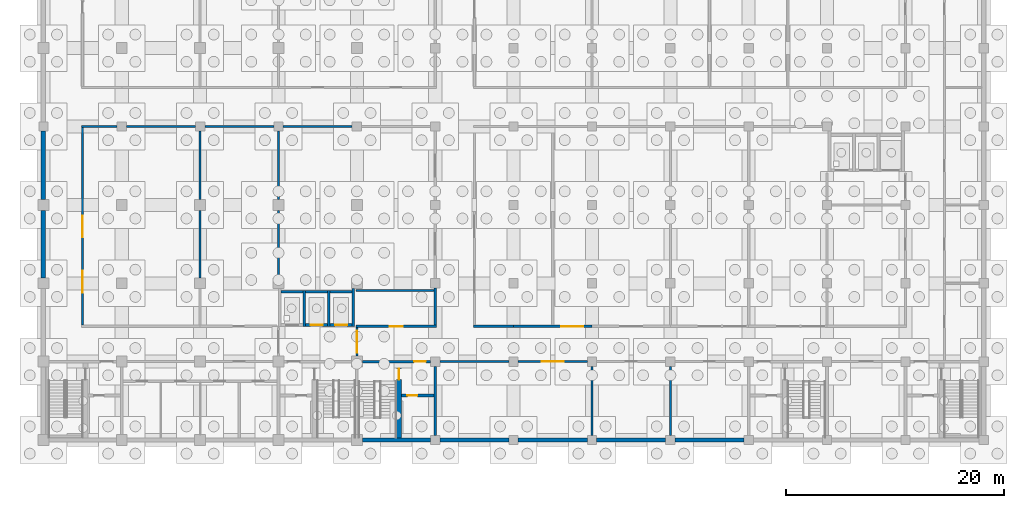
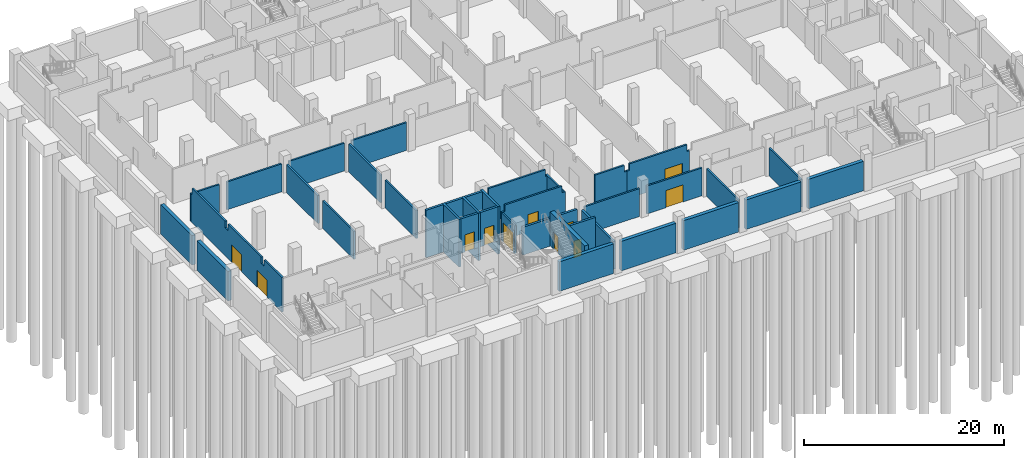
# One storey, part 8 of 19: 38 walls, 11 doors, 11 openings.
"""IFC4 building model written with IfcOpenShell, lengths in metres."""

from ifc_helpers import new_model, si_unit, direction, frame, frame_2d, origin, place, context, subcontext, project, spatial, polyline, rectangle, outline, extrude, material, layer, layer_set, type_object, element, fill, save


model = new_model("IFC4")

# Units and contexts
model_context = context("Model", 3, precision=1e-05, world=origin(), true_north=direction((0.0, 1.0)))
body_context = subcontext(model_context, "Body", "Model", "MODEL_VIEW")
ifc_project = project(units=[si_unit("LENGTHUNIT", "METRE"), si_unit("AREAUNIT", "SQUARE_METRE"), si_unit("VOLUMEUNIT", "CUBIC_METRE"), si_unit("PLANEANGLEUNIT", "RADIAN"), si_unit("MASSUNIT", "GRAM", prefix="KILO")], contexts=[model_context])

# Site, building, storey
site_placement = place(None, origin())
site = spatial("IfcSite", under=ifc_project, at=site_placement, CompositionType="ELEMENT")
building_placement = place(site_placement, origin())
building = spatial("IfcBuilding", under=site, at=building_placement, Name="Silangan Lancet Faculty of Sciences", CompositionType="ELEMENT")
storey_placement = place(building_placement, frame((0.0, 0.0, -4.5)))
storey = spatial("IfcBuildingStorey", under=building, at=storey_placement, Name="B1", CompositionType="ELEMENT", Elevation=-4.5)

# Walls
ifc_material_1 = material(Name="Hollow block masonry fm 7 MPa", Category="masonry")
ifc_layer_1 = layer(ifc_material_1, 0.199951171875)
ifc_layer_set_1 = layer_set([ifc_layer_1], Name="Hollow block masonry fm 7 MPa")
wall_type_1 = type_object("IfcWallType", Name="Interior wall PW4 Laboratory separation CHB 200", PredefinedType="PARTITIONING", material=ifc_layer_set_1)
wall_1_placement = place(storey_placement, frame((57.60009765625, 0.425048828125, 0.0), z_axis=(0.0, 0.0, 1.0), x_axis=(0.0, 1.0, 0.0)))
element("IfcWall", 1, at=wall_1_placement, inside=storey, type_object=wall_type_1, Name="Laboratory separation CHB 200", PredefinedType="PARTITIONING", context=body_context, shape_type="SweptSolid", body=[
    extrude(rectangle(XDim=6.349853515625, YDim=0.199951171875, at=frame_2d((3.1748046875, 0.0))), origin(), (0.0, 0.0, 1.0), 3.39990234375),
])
ifc_material_2 = material(Name="Concrete C35/45", Category="concrete")
ifc_layer_2 = layer(ifc_material_2, 0.199951171875)
ifc_layer_set_2 = layer_set([ifc_layer_2], Name="Concrete C35/45")
wall_type_2 = type_object("IfcWallType", Name="Interior wall PW5 Riser wall RC 200", PredefinedType="SOLIDWALL", material=ifc_layer_set_2)
wall_2_placement = place(storey_placement, frame((14.824951171875, 28.800048828125, 0.0), z_axis=(0.0, 0.0, 1.0), x_axis=(1.0, 0.0, 0.0)))
element("IfcWall", 2, at=wall_2_placement, inside=storey, type_object=wall_type_2, Name="Riser wall RC 200", PredefinedType="SOLIDWALL", context=body_context, shape_type="SweptSolid", body=[
    extrude(rectangle(XDim=6.35009765625, YDim=0.199951171875, at=frame_2d((3.175048828125, 0.0))), origin(), (0.0, 0.0, 1.0), 3.39990234375),
])
wall_3_placement = place(storey_placement, frame((14.39990234375, 14.89990234375, 0.0), z_axis=(0.0, 0.0, 1.0), x_axis=(0.0, 1.0, 0.0)))
element("IfcWall", 3, at=wall_3_placement, inside=storey, type_object=wall_type_2, Name="Riser wall RC 200", PredefinedType="SOLIDWALL", context=body_context, shape_type="SweptSolid", body=[
    extrude(rectangle(XDim=6.2001953125, YDim=0.199951171875, at=frame_2d((3.10009765625, 0.0))), origin(), (0.0, 0.0, 1.0), 3.39990234375),
])
wall_4_placement = place(storey_placement, frame((14.39990234375, 22.10009765625, 0.0), z_axis=(0.0, 0.0, 1.0), x_axis=(0.0, 1.0, 0.0)))
element("IfcWall", 4, at=wall_4_placement, inside=storey, type_object=wall_type_2, Name="Riser wall RC 200", PredefinedType="SOLIDWALL", context=body_context, shape_type="SweptSolid", body=[
    extrude(rectangle(XDim=6.27490234375, YDim=0.199951171875, at=frame_2d((3.137451171875, 0.0))), origin(), (0.0, 0.0, 1.0), 3.39990234375),
])
wall_5_placement = place(storey_placement, frame((21.60009765625, 14.89990234375, 0.0), z_axis=(0.0, 0.0, 1.0), x_axis=(0.0, 1.0, 0.0)))
element("IfcWall", 5, at=wall_5_placement, inside=storey, type_object=wall_type_2, Name="Riser wall RC 200", PredefinedType="SOLIDWALL", context=body_context, shape_type="SweptSolid", body=[
    extrude(rectangle(XDim=6.2001953125, YDim=0.199951171875, at=frame_2d((3.10009765625, 0.0))), origin(), (0.0, 0.0, 1.0), 3.39990234375),
])
wall_6_placement = place(storey_placement, frame((21.60009765625, 22.10009765625, 0.0), z_axis=(0.0, 0.0, 1.0), x_axis=(0.0, 1.0, 0.0)))
element("IfcWall", 6, at=wall_6_placement, inside=storey, type_object=wall_type_2, Name="Riser wall RC 200", PredefinedType="SOLIDWALL", context=body_context, shape_type="SweptSolid", body=[
    extrude(rectangle(XDim=6.27490234375, YDim=0.199951171875, at=frame_2d((3.137451171875, 0.0))), origin(), (0.0, 0.0, 1.0), 3.39990234375),
])
ifc_material_3 = material(Name="Hollow block masonry fm 7 MPa", Category="masonry")
ifc_layer_3 = layer(ifc_material_3, 0.199951171875)
ifc_layer_set_3 = layer_set([ifc_layer_3], Name="Hollow block masonry fm 7 MPa")
wall_type_3 = type_object("IfcWallType", Name="Interior wall PW6 Plant room wall CHB 200", PredefinedType="PARTITIONING", material=ifc_layer_set_3)
wall_7_placement = place(storey_placement, frame((36.425048828125, 7.199951171875, 0.0), z_axis=(0.0, 0.0, 1.0), x_axis=(1.0, 0.0, 0.0)))
element("IfcWall", 7, at=wall_7_placement, inside=storey, type_object=wall_type_3, Name="Plant room wall CHB 200", PredefinedType="PARTITIONING", context=body_context, shape_type="SweptSolid", body=[
    extrude(rectangle(XDim=6.349853515625, YDim=0.199951171875, at=frame_2d((3.1748046875, 0.0))), origin(), (0.0, 0.0, 1.0), 3.39990234375),
])

# Wall, opening, door
wall_8_placement = place(storey_placement, frame((43.625, 7.199951171875, 0.0), z_axis=(0.0, 0.0, 1.0), x_axis=(1.0, 0.0, 0.0)))
wall_8 = element("IfcWall", 8, at=wall_8_placement, inside=storey, type_object=wall_type_3, Name="Plant room wall CHB 200", PredefinedType="PARTITIONING", context=body_context, shape_type="SweptSolid", body=[
    extrude(rectangle(XDim=6.35009765625, YDim=0.199951171875, at=frame_2d((3.175048828125, 0.0))), origin(), (0.0, 0.0, 1.0), 3.39990234375),
])
opening_1_placement = place(wall_8_placement, frame((2.175048828125, 0.0, 0.0)))
opening_1 = element("IfcOpeningElement", 9, at=opening_1_placement, cuts=wall_8, Name="Opening B1-035", PredefinedType="OPENING", context=body_context, shape_type="SweptSolid", body=[
    extrude(rectangle(XDim=2.0, YDim=2.10009765625, at=frame_2d((1.0, 1.050048828125))), frame((0.0, 0.10986328125, 0.0), z_axis=(0.0, -1.0, 0.0), x_axis=(1.0, 0.0, 0.0)), (0.0, 0.0, 1.0), 0.219970703125),
])
ifc_material_4 = material(Name="Steel fire door set", Category="steel")
door_type_1 = type_object("IfcDoorType", Name="Door D8 Plant room double door 2000 x 2100", OperationType="DOUBLE_DOOR_SINGLE_SWING", PredefinedType="DOOR", material=ifc_material_4)
door_1_placement = place(opening_1_placement, origin())
door_1 = element("IfcDoor", 10, at=door_1_placement, inside=storey, type_object=door_type_1, Name="Plant room double door 2000 x 2100", OperationType="DOUBLE_DOOR_SINGLE_SWING", OverallHeight=2.10009765625, OverallWidth=2.0, PredefinedType="DOOR", context=body_context, shape_type="SweptSolid", body=[
    extrude(rectangle(XDim=2.0, YDim=2.10009765625, at=frame_2d((1.0, 1.050048828125))), frame((0.0, 0.02490234375, 0.0), z_axis=(0.0, -1.0, 0.0), x_axis=(1.0, 0.0, 0.0)), (0.0, 0.0, 1.0), 0.050048828125),
])
fill(opening_1, door_1)

wall_9_placement = place(storey_placement, frame((28.72509765625, 10.449951171875, 0.0), z_axis=(0.0, 0.0, 1.0), x_axis=(1.0, 0.0, 0.0)))
wall_9 = element("IfcWall", 11, at=wall_9_placement, inside=storey, type_object=wall_type_3, Name="Plant room wall CHB 200", PredefinedType="PARTITIONING", context=body_context, shape_type="SweptSolid", body=[
    extrude(outline(polyline([(0.0, 0.0), (7.375, 0.0), (7.375, 3.39990234375), (6.974853515625, 3.39990234375), (6.974853515625, 4.199951171875), (0.375, 4.199951171875), (0.375, 3.39990234375), (0.0, 3.39990234375), (0.0, 0.0)])), frame((0.0, 0.10009765625, 0.0), z_axis=(0.0, -1.0, 0.0), x_axis=(1.0, 0.0, 0.0)), (0.0, 0.0, 1.0), 0.199951171875),
])
opening_2_placement = place(wall_9_placement, frame((3.074951171875, 0.0, 0.0)))
opening_2 = element("IfcOpeningElement", 12, at=opening_2_placement, cuts=wall_9, Name="Opening B1-012", PredefinedType="OPENING", context=body_context, shape_type="SweptSolid", body=[
    extrude(rectangle(XDim=1.199951171875, YDim=2.10009765625, at=frame_2d((0.60009765625, 1.050048828125))), frame((0.0, 0.10986328125, 0.0), z_axis=(0.0, -1.0, 0.0), x_axis=(1.0, 0.0, 0.0)), (0.0, 0.0, 1.0), 0.219970703125),
])
ifc_material_5 = material(Name="Steel fire door set", Category="steel")
door_type_2 = type_object("IfcDoorType", Name="Door D7 Plant room door 1200 x 2100", OperationType="SINGLE_SWING_LEFT", PredefinedType="DOOR", material=ifc_material_5)
door_2_placement = place(opening_2_placement, origin())
door_2 = element("IfcDoor", 13, at=door_2_placement, inside=storey, type_object=door_type_2, Name="Plant room door 1200 x 2100", OperationType="SINGLE_SWING_LEFT", OverallHeight=2.10009765625, OverallWidth=1.199951171875, PredefinedType="DOOR", context=body_context, shape_type="SweptSolid", body=[
    extrude(rectangle(XDim=1.199951171875, YDim=2.10009765625, at=frame_2d((0.60009765625, 1.050048828125))), frame((0.0, 0.02490234375, 0.0), z_axis=(0.0, -1.0, 0.0), x_axis=(1.0, 0.0, 0.0)), (0.0, 0.0, 1.0), 0.050048828125),
])
fill(opening_2, door_2)

# Wall
wall_10_placement = place(storey_placement, frame((39.5, 10.449951171875, 0.0), z_axis=(0.0, 0.0, 1.0), x_axis=(1.0, 0.0, 0.0)))
element("IfcWall", 14, at=wall_10_placement, inside=storey, type_object=wall_type_3, Name="Plant room wall CHB 200", PredefinedType="PARTITIONING", context=body_context, shape_type="SweptSolid", body=[
    extrude(outline(polyline([(0.0, 0.0), (3.699951171875, 0.0), (3.699951171875, 3.39990234375), (3.39990234375, 3.39990234375), (3.39990234375, 4.199951171875), (0.0, 4.199951171875), (0.0, 0.0)])), frame((0.0, 0.10009765625, 0.0), z_axis=(0.0, -1.0, 0.0), x_axis=(1.0, 0.0, 0.0)), (0.0, 0.0, 1.0), 0.199951171875),
])

# Wall, opening, door
wall_11_placement = place(storey_placement, frame((43.199951171875, 10.449951171875, 0.0), z_axis=(0.0, 0.0, 1.0), x_axis=(1.0, 0.0, 0.0)))
wall_11 = element("IfcWall", 15, at=wall_11_placement, inside=storey, type_object=wall_type_3, Name="Plant room wall CHB 200", PredefinedType="PARTITIONING", context=body_context, shape_type="SweptSolid", body=[
    extrude(outline(polyline([(0.0, 0.0), (7.199951171875, 0.0), (7.199951171875, 3.39990234375), (6.89990234375, 3.39990234375), (6.89990234375, 4.199951171875), (0.300048828125, 4.199951171875), (0.300048828125, 3.39990234375), (0.0, 3.39990234375), (0.0, 0.0)])), frame((0.0, 0.10009765625, 0.0), z_axis=(0.0, -1.0, 0.0), x_axis=(1.0, 0.0, 0.0)), (0.0, 0.0, 1.0), 0.199951171875),
])
opening_3_placement = place(wall_11_placement, frame((4.39990234375, 0.0, 0.0)))
opening_3 = element("IfcOpeningElement", 16, at=opening_3_placement, cuts=wall_11, Name="Opening B1-016", PredefinedType="OPENING", context=body_context, shape_type="SweptSolid", body=[
    extrude(rectangle(XDim=2.0, YDim=2.10009765625, at=frame_2d((1.0, 1.050048828125))), frame((0.0, 0.10986328125, 0.0), z_axis=(0.0, -1.0, 0.0), x_axis=(1.0, 0.0, 0.0)), (0.0, 0.0, 1.0), 0.219970703125),
])
door_3_placement = place(opening_3_placement, origin())
door_3 = element("IfcDoor", 17, at=door_3_placement, inside=storey, type_object=door_type_1, Name="Plant room double door 2000 x 2100", OperationType="DOUBLE_DOOR_SINGLE_SWING", OverallHeight=2.10009765625, OverallWidth=2.0, PredefinedType="DOOR", context=body_context, shape_type="SweptSolid", body=[
    extrude(rectangle(XDim=2.0, YDim=2.10009765625, at=frame_2d((1.0, 1.050048828125))), frame((0.0, 0.02490234375, 0.0), z_axis=(0.0, -1.0, 0.0), x_axis=(1.0, 0.0, 0.0)), (0.0, 0.0, 1.0), 0.050048828125),
])
fill(opening_3, door_3)

# Walls
wall_12_placement = place(storey_placement, frame((28.72509765625, 13.75, 0.0), z_axis=(0.0, 0.0, 1.0), x_axis=(1.0, 0.0, 0.0)))
element("IfcWall", 18, at=wall_12_placement, inside=storey, type_object=wall_type_3, Name="Plant room wall CHB 200", PredefinedType="PARTITIONING", context=body_context, shape_type="SweptSolid", body=[
    extrude(outline(polyline([(0.0, 0.0), (7.1748046875, 0.0), (7.1748046875, 3.39990234375), (6.974853515625, 3.39990234375), (6.974853515625, 4.199951171875), (0.375, 4.199951171875), (0.375, 3.39990234375), (0.0, 3.39990234375), (0.0, 0.0)])), frame((0.0, 0.10009765625, 0.0), z_axis=(0.0, -1.0, 0.0), x_axis=(1.0, 0.0, 0.0)), (0.0, 0.0, 1.0), 0.199951171875),
])
wall_13_placement = place(storey_placement, frame((3.5, 28.800048828125, 0.0), z_axis=(0.0, 0.0, 1.0), x_axis=(1.0, 0.0, 0.0)))
element("IfcWall", 19, at=wall_13_placement, inside=storey, type_object=wall_type_3, Name="Plant room wall CHB 200", PredefinedType="PARTITIONING", context=body_context, shape_type="SweptSolid", body=[
    extrude(rectangle(XDim=3.27490234375, YDim=0.199951171875, at=frame_2d((1.637451171875, 0.0))), origin(), (0.0, 0.0, 1.0), 3.39990234375),
])
for number, where, z_axis, x_axis, name in (
    (20, (7.625, 28.800048828125, 0.0), (0.0, 0.0, 1.0), (1.0, 0.0, 0.0), "Plant room wall CHB 200"),
    (21, (22.02490234375, 28.800048828125, 0.0), (0.0, 0.0, 1.0), (1.0, 0.0, 0.0), "Plant room wall CHB 200"),
):
    element("IfcWall", number, at=place(storey_placement, frame(where, z_axis=z_axis, x_axis=x_axis)), inside=storey, type_object=wall_type_3, Name=name, PredefinedType="PARTITIONING", context=body_context, shape_type="SweptSolid", body=[
        extrude(rectangle(XDim=6.35009765625, YDim=0.199951171875, at=frame_2d((3.175048828125, 0.0))), origin(), (0.0, 0.0, 1.0), 3.39990234375),
    ])

# Wall, openings, doors
wall_14_placement = place(storey_placement, frame((3.60009765625, 10.550048828125, 0.0), z_axis=(0.0, 0.0, 1.0), x_axis=(0.0, 1.0, 0.0)))
wall_14 = element("IfcWall", 22, at=wall_14_placement, inside=storey, type_object=wall_type_3, Name="Plant room wall CHB 200", PredefinedType="PARTITIONING", context=body_context, shape_type="SweptSolid", body=[
    extrude(outline(polyline([(0.0, 0.0), (18.14990234375, 0.0), (18.14990234375, 3.39990234375), (17.949951171875, 3.39990234375), (17.949951171875, 4.199951171875), (11.35009765625, 4.199951171875), (11.35009765625, 3.39990234375), (10.75, 3.39990234375), (10.75, 4.199951171875), (4.14990234375, 4.199951171875), (4.14990234375, 3.39990234375), (3.550048828125, 3.39990234375), (3.550048828125, 4.199951171875), (0.0, 4.199951171875), (0.0, 0.0)])), frame((0.0, 0.10009765625, 0.0), z_axis=(0.0, -1.0, 0.0), x_axis=(1.0, 0.0, 0.0)), (0.0, 0.0, 1.0), 0.199951171875),
])
opening_4_placement = place(wall_14_placement, frame((8.074951171875, 0.0, 0.0)))
opening_4 = element("IfcOpeningElement", 23, at=opening_4_placement, cuts=wall_14, Name="Opening B1-007", PredefinedType="OPENING", context=body_context, shape_type="SweptSolid", body=[
    extrude(rectangle(XDim=2.0, YDim=2.10009765625, at=frame_2d((1.0, 1.050048828125))), frame((0.0, 0.10986328125, 0.0), z_axis=(0.0, -1.0, 0.0), x_axis=(1.0, 0.0, 0.0)), (0.0, 0.0, 1.0), 0.219970703125),
])
opening_5_placement = place(wall_14_placement, frame((2.987548828125, 0.0, 0.0)))
opening_5 = element("IfcOpeningElement", 24, at=opening_5_placement, cuts=wall_14, Name="Opening B1-008", PredefinedType="OPENING", context=body_context, shape_type="SweptSolid", body=[
    extrude(rectangle(XDim=2.0, YDim=2.10009765625, at=frame_2d((1.0, 1.050048828125))), frame((0.0, 0.10986328125, 0.0), z_axis=(0.0, -1.0, 0.0), x_axis=(1.0, 0.0, 0.0)), (0.0, 0.0, 1.0), 0.219970703125),
])
door_4_placement = place(opening_4_placement, origin())
door_4 = element("IfcDoor", 25, at=door_4_placement, inside=storey, type_object=door_type_1, Name="Plant room double door 2000 x 2100", OperationType="DOUBLE_DOOR_SINGLE_SWING", OverallHeight=2.10009765625, OverallWidth=2.0, PredefinedType="DOOR", context=body_context, shape_type="SweptSolid", body=[
    extrude(rectangle(XDim=2.0, YDim=2.10009765625, at=frame_2d((1.0, 1.050048828125))), frame((0.0, 0.02490234375, 0.0), z_axis=(0.0, -1.0, 0.0), x_axis=(1.0, 0.0, 0.0)), (0.0, 0.0, 1.0), 0.050048828125),
])
fill(opening_4, door_4)
door_5_placement = place(opening_5_placement, origin())
door_5 = element("IfcDoor", 26, at=door_5_placement, inside=storey, type_object=door_type_1, Name="Plant room double door 2000 x 2100", OperationType="DOUBLE_DOOR_SINGLE_SWING", OverallHeight=2.10009765625, OverallWidth=2.0, PredefinedType="DOOR", context=body_context, shape_type="SweptSolid", body=[
    extrude(rectangle(XDim=2.0, YDim=2.10009765625, at=frame_2d((1.0, 1.050048828125))), frame((0.0, 0.02490234375, 0.0), z_axis=(0.0, -1.0, 0.0), x_axis=(1.0, 0.0, 0.0)), (0.0, 0.0, 1.0), 0.050048828125),
])
fill(opening_5, door_5)

# Walls
wall_15_placement = place(storey_placement, frame((36.0, 10.550048828125, 0.0), z_axis=(0.0, 0.0, 1.0), x_axis=(0.0, 1.0, 0.0)))
element("IfcWall", 27, at=wall_15_placement, inside=storey, type_object=wall_type_3, Name="Plant room wall CHB 200", PredefinedType="PARTITIONING", context=body_context, shape_type="SweptSolid", body=[
    extrude(rectangle(XDim=3.425048828125, YDim=0.199951171875, at=frame_2d((1.71240234375, 0.0))), origin(), (0.0, 0.0, 1.0), 3.39990234375),
])
wall_16_placement = place(storey_placement, frame((50.39990234375, 0.425048828125, 0.0), z_axis=(0.0, 0.0, 1.0), x_axis=(0.0, 1.0, 0.0)))
element("IfcWall", 28, at=wall_16_placement, inside=storey, type_object=wall_type_3, Name="Plant room wall CHB 200", PredefinedType="PARTITIONING", context=body_context, shape_type="SweptSolid", body=[
    extrude(rectangle(XDim=6.349853515625, YDim=0.199951171875, at=frame_2d((3.1748046875, 0.0))), origin(), (0.0, 0.0, 1.0), 3.39990234375),
])

# Wall, opening, door
ifc_material_6 = material(Name="Hollow block masonry fm 7 MPa", Category="masonry")
ifc_layer_4 = layer(ifc_material_6, 0.199951171875)
ifc_layer_set_4 = layer_set([ifc_layer_4], Name="Hollow block masonry fm 7 MPa")
wall_type_4 = type_object("IfcWallType", Name="Interior wall PW9 Lift lobby wall CHB 200", PredefinedType="PARTITIONING", material=ifc_layer_set_4)
wall_17_placement = place(storey_placement, frame((28.800048828125, 7.699951171875, 0.0), z_axis=(0.0, 0.0, 1.0), x_axis=(0.0, 1.0, 0.0)))
wall_17 = element("IfcWall", 29, at=wall_17_placement, inside=storey, type_object=wall_type_4, Name="Lift lobby wall CHB 200", PredefinedType="PARTITIONING", context=body_context, shape_type="SweptSolid", body=[
    extrude(rectangle(XDim=2.650146484375, YDim=0.199951171875, at=frame_2d((1.3251953125, 0.0))), origin(), (0.0, 0.0, 1.0), 3.39990234375),
])
opening_6_placement = place(wall_17_placement, frame((0.324951171875, 0.0, 0.0)))
opening_6 = element("IfcOpeningElement", 30, at=opening_6_placement, cuts=wall_17, Name="Opening B1-003", PredefinedType="OPENING", context=body_context, shape_type="SweptSolid", body=[
    extrude(rectangle(XDim=2.0, YDim=2.39990234375, at=frame_2d((1.0, 1.199951171875))), frame((0.0, 0.10986328125, 0.0), z_axis=(0.0, -1.0, 0.0), x_axis=(1.0, 0.0, 0.0)), (0.0, 0.0, 1.0), 0.219970703125),
])
ifc_material_7 = material(Name="Steel fire door set", Category="steel")
door_type_3 = type_object("IfcDoorType", Name="Door D5 Lift lobby double fire door 2000 x 2400", OperationType="DOUBLE_DOOR_SINGLE_SWING", PredefinedType="DOOR", material=ifc_material_7)
door_6_placement = place(opening_6_placement, origin())
door_6 = element("IfcDoor", 31, at=door_6_placement, inside=storey, type_object=door_type_3, Name="Lift lobby double fire door 2000 x 2400", OperationType="DOUBLE_DOOR_SINGLE_SWING", OverallHeight=2.39990234375, OverallWidth=2.0, PredefinedType="DOOR", context=body_context, shape_type="SweptSolid", body=[
    extrude(rectangle(XDim=2.0, YDim=2.39990234375, at=frame_2d((1.0, 1.199951171875))), frame((0.0, 0.02490234375, 0.0), z_axis=(0.0, -1.0, 0.0), x_axis=(1.0, 0.0, 0.0)), (0.0, 0.0, 1.0), 0.050048828125),
])
fill(opening_6, door_6)

# Walls
ifc_material_8 = material(Name="Concrete C40/50", Category="concrete")
ifc_layer_5 = layer(ifc_material_8, 0.25)
ifc_layer_set_5 = layer_set([ifc_layer_5], Name="Concrete C40/50")
wall_type_5 = type_object("IfcWallType", Name="LIFT SHAFT WALL RC 250", PredefinedType="SHEAR", material=ifc_layer_set_5)
for number, where, z_axis, x_axis, name in (
    (32, (23.97509765625, 10.449951171875, -1.60009765625), (0.0, 0.0, 1.0), (0.0, 1.0, 0.0), "WALL-B1-ST-SW2"),
    (33, (26.22509765625, 10.449951171875, -1.60009765625), (0.0, 0.0, 1.0), (0.0, 1.0, 0.0), "WALL-B1-ST-SW3"),
):
    element("IfcWall", number, at=place(storey_placement, frame(where, z_axis=z_axis, x_axis=x_axis)), inside=storey, type_object=wall_type_5, Name=name, PredefinedType="SHEAR", context=body_context, shape_type="SweptSolid", body=[
        extrude(rectangle(XDim=3.300048828125, YDim=0.25, at=frame_2d((1.64990234375, 0.0))), origin(), (0.0, 0.0, 1.0), 5.800048828125),
    ])
wall_18_placement = place(storey_placement, frame((28.47509765625, 10.449951171875, -1.60009765625), z_axis=(0.0, 0.0, 1.0), x_axis=(0.0, 1.0, 0.0)))
element("IfcWall", 34, at=wall_18_placement, inside=storey, type_object=wall_type_5, Name="WALL-B1-ST-SW4", PredefinedType="SHEAR", context=body_context, shape_type="SweptSolid", body=[
    extrude(rectangle(XDim=3.449951171875, YDim=0.25, at=frame_2d((1.72509765625, 0.0))), origin(), (0.0, 0.0, 1.0), 5.800048828125),
])
wall_19_placement = place(storey_placement, frame((21.85009765625, 13.625, -1.60009765625), z_axis=(0.0, 0.0, 1.0), x_axis=(1.0, 0.0, 0.0)))
element("IfcWall", 35, at=wall_19_placement, inside=storey, type_object=wall_type_5, Name="WALL-B1-ST-L1-B", PredefinedType="SHEAR", context=body_context, shape_type="SweptSolid", body=[
    extrude(rectangle(XDim=2.0, YDim=0.25, at=frame_2d((1.0, 0.0))), origin(), (0.0, 0.0, 1.0), 5.800048828125),
])

# Wall, opening, door
wall_20_placement = place(storey_placement, frame((24.10009765625, 10.574951171875, 0.0), z_axis=(0.0, 0.0, 1.0), x_axis=(1.0, 0.0, 0.0)))
wall_20 = element("IfcWall", 36, at=wall_20_placement, inside=storey, type_object=wall_type_5, Name="WALL-B1-ST-L2-F", PredefinedType="SHEAR", context=body_context, shape_type="SweptSolid", body=[
    extrude(rectangle(XDim=2.0, YDim=0.25, at=frame_2d((1.0, 0.0))), origin(), (0.0, 0.0, 1.0), 4.199951171875),
])
opening_7_placement = place(wall_20_placement, frame((0.449951171875, 0.0, 0.0)))
opening_7 = element("IfcOpeningElement", 37, at=opening_7_placement, cuts=wall_20, Name="Opening B1-808", PredefinedType="OPENING", context=body_context, shape_type="SweptSolid", body=[
    extrude(rectangle(XDim=1.10009765625, YDim=2.10009765625, at=frame_2d((0.550048828125, 1.050048828125))), frame((0.0, 0.135009765625, 0.0), z_axis=(0.0, -1.0, 0.0), x_axis=(1.0, 0.0, 0.0)), (0.0, 0.0, 1.0), 0.27001953125),
])
ifc_material_9 = material(Name="Stainless steel sliding door", Category="steel")
door_type_4 = type_object("IfcDoorType", Name="LD1 Lift landing door 1100x2100", OperationType="SLIDING_TO_LEFT", PredefinedType="DOOR", material=ifc_material_9)
door_7_placement = place(opening_7_placement, origin())
door_7 = element("IfcDoor", 38, at=door_7_placement, inside=storey, type_object=door_type_4, Name="Landing door ST-L2 B1", OperationType="SLIDING_TO_LEFT", OverallHeight=2.10009765625, OverallWidth=1.10009765625, PredefinedType="DOOR", context=body_context, shape_type="SweptSolid", body=[
    extrude(rectangle(XDim=1.10009765625, YDim=2.10009765625, at=frame_2d((0.550048828125, 1.050048828125))), frame((0.0, 0.02490234375, 0.0), z_axis=(0.0, -1.0, 0.0), x_axis=(1.0, 0.0, 0.0)), (0.0, 0.0, 1.0), 0.050048828125),
])
fill(opening_7, door_7)

# Wall
wall_21_placement = place(storey_placement, frame((24.10009765625, 13.625, -1.60009765625), z_axis=(0.0, 0.0, 1.0), x_axis=(1.0, 0.0, 0.0)))
element("IfcWall", 39, at=wall_21_placement, inside=storey, type_object=wall_type_5, Name="WALL-B1-ST-L2-B", PredefinedType="SHEAR", context=body_context, shape_type="SweptSolid", body=[
    extrude(rectangle(XDim=2.0, YDim=0.25, at=frame_2d((1.0, 0.0))), origin(), (0.0, 0.0, 1.0), 5.800048828125),
])

# Wall, opening, door
wall_22_placement = place(storey_placement, frame((26.35009765625, 10.574951171875, 0.0), z_axis=(0.0, 0.0, 1.0), x_axis=(1.0, 0.0, 0.0)))
wall_22 = element("IfcWall", 40, at=wall_22_placement, inside=storey, type_object=wall_type_5, Name="WALL-B1-ST-L3-F", PredefinedType="SHEAR", context=body_context, shape_type="SweptSolid", body=[
    extrude(rectangle(XDim=2.0, YDim=0.25, at=frame_2d((1.0, 0.0))), origin(), (0.0, 0.0, 1.0), 4.199951171875),
])
opening_8_placement = place(wall_22_placement, frame((0.449951171875, 0.0, 0.0)))
opening_8 = element("IfcOpeningElement", 41, at=opening_8_placement, cuts=wall_22, Name="Opening B1-809", PredefinedType="OPENING", context=body_context, shape_type="SweptSolid", body=[
    extrude(rectangle(XDim=1.10009765625, YDim=2.10009765625, at=frame_2d((0.550048828125, 1.050048828125))), frame((0.0, 0.135009765625, 0.0), z_axis=(0.0, -1.0, 0.0), x_axis=(1.0, 0.0, 0.0)), (0.0, 0.0, 1.0), 0.27001953125),
])
door_8_placement = place(opening_8_placement, origin())
door_8 = element("IfcDoor", 42, at=door_8_placement, inside=storey, type_object=door_type_4, Name="Landing door ST-L3 B1", OperationType="SLIDING_TO_LEFT", OverallHeight=2.10009765625, OverallWidth=1.10009765625, PredefinedType="DOOR", context=body_context, shape_type="SweptSolid", body=[
    extrude(rectangle(XDim=1.10009765625, YDim=2.10009765625, at=frame_2d((0.550048828125, 1.050048828125))), frame((0.0, 0.02490234375, 0.0), z_axis=(0.0, -1.0, 0.0), x_axis=(1.0, 0.0, 0.0)), (0.0, 0.0, 1.0), 0.050048828125),
])
fill(opening_8, door_8)

# Walls
wall_23_placement = place(storey_placement, frame((26.35009765625, 13.625, -1.60009765625), z_axis=(0.0, 0.0, 1.0), x_axis=(1.0, 0.0, 0.0)))
element("IfcWall", 43, at=wall_23_placement, inside=storey, type_object=wall_type_5, Name="WALL-B1-ST-L3-B", PredefinedType="SHEAR", context=body_context, shape_type="SweptSolid", body=[
    extrude(rectangle(XDim=2.0, YDim=0.25, at=frame_2d((1.0, 0.0))), origin(), (0.0, 0.0, 1.0), 5.800048828125),
])
ifc_material_10 = material(Name="Concrete C35/45", Category="concrete")
ifc_layer_6 = layer(ifc_material_10, 0.39990234375)
ifc_layer_set_6 = layer_set([ifc_layer_6], Name="Concrete C35/45")
wall_type_6 = type_object("IfcWallType", Name="RW1 Basement retaining wall", PredefinedType="SOLIDWALL", material=ifc_layer_set_6)
wall_24_placement = place(storey_placement, frame((29.300048828125, 0.0, 0.0), z_axis=(0.0, 0.0, 1.0), x_axis=(1.0, 0.0, 0.0)))
element("IfcWall", 44, at=wall_24_placement, inside=storey, type_object=wall_type_6, Name="RW-B1-S-04", PredefinedType="SOLIDWALL", context=body_context, shape_type="SweptSolid", body=[
    extrude(rectangle(XDim=6.27490234375, YDim=0.39990234375, at=frame_2d((3.137451171875, 0.0))), origin(), (0.0, 0.0, 1.0), 3.60009765625),
])
wall_25_placement = place(storey_placement, frame((36.425048828125, 0.0, 0.0), z_axis=(0.0, 0.0, 1.0), x_axis=(1.0, 0.0, 0.0)))
element("IfcWall", 45, at=wall_25_placement, inside=storey, type_object=wall_type_6, Name="RW-B1-S-05", PredefinedType="SOLIDWALL", context=body_context, shape_type="SweptSolid", body=[
    extrude(rectangle(XDim=6.349853515625, YDim=0.39990234375, at=frame_2d((3.1748046875, 0.0))), origin(), (0.0, 0.0, 1.0), 3.60009765625),
])
for number, where, z_axis, x_axis, name in (
    (46, (43.625, 0.0, 0.0), (0.0, 0.0, 1.0), (1.0, 0.0, 0.0), "RW-B1-S-06"),
    (47, (50.824951171875, 0.0, 0.0), (0.0, 0.0, 1.0), (1.0, 0.0, 0.0), "RW-B1-S-07"),
    (48, (58.02490234375, 0.0, 0.0), (0.0, 0.0, 1.0), (1.0, 0.0, 0.0), "RW-B1-S-08"),
):
    element("IfcWall", number, at=place(storey_placement, frame(where, z_axis=z_axis, x_axis=x_axis)), inside=storey, type_object=wall_type_6, Name=name, PredefinedType="SOLIDWALL", context=body_context, shape_type="SweptSolid", body=[
        extrude(rectangle(XDim=6.35009765625, YDim=0.39990234375, at=frame_2d((3.175048828125, 0.0))), origin(), (0.0, 0.0, 1.0), 3.60009765625),
    ])
wall_26_placement = place(storey_placement, frame((0.0, 28.375, 0.0), z_axis=(0.0, 0.0, 1.0), x_axis=(0.0, -1.0, 0.0)))
element("IfcWall", 49, at=wall_26_placement, inside=storey, type_object=wall_type_6, Name="RW-B1-W-04", PredefinedType="SOLIDWALL", context=body_context, shape_type="SweptSolid", body=[
    extrude(rectangle(XDim=6.27490234375, YDim=0.39990234375, at=frame_2d((3.137451171875, 0.0))), origin(), (0.0, 0.0, 1.0), 3.60009765625),
])
wall_27_placement = place(storey_placement, frame((0.0, 21.10009765625, 0.0), z_axis=(0.0, 0.0, 1.0), x_axis=(0.0, -1.0, 0.0)))
element("IfcWall", 50, at=wall_27_placement, inside=storey, type_object=wall_type_6, Name="RW-B1-W-05", PredefinedType="SOLIDWALL", context=body_context, shape_type="SweptSolid", body=[
    extrude(rectangle(XDim=6.2001953125, YDim=0.39990234375, at=frame_2d((3.10009765625, 0.0))), origin(), (0.0, 0.0, 1.0), 3.60009765625),
])

# Wall, opening, door
ifc_material_11 = material(Name="Concrete C40/50", Category="concrete")
ifc_layer_7 = layer(ifc_material_11, 0.449951171875)
ifc_layer_set_7 = layer_set([ifc_layer_7], Name="Concrete C40/50")
wall_type_7 = type_object("IfcWallType", Name="TURRET CORE WALL RC 450", PredefinedType="SHEAR", material=ifc_layer_set_7)
wall_28_placement = place(storey_placement, frame((32.675048828125, 0.199951171875, 0.0), z_axis=(0.0, 0.0, 1.0), x_axis=(0.0, 1.0, 0.0)))
wall_28 = element("IfcWall", 51, at=wall_28_placement, inside=storey, type_object=wall_type_7, Name="WALL-B1-SAB-A-WELL", PredefinedType="SHEAR", context=body_context, shape_type="SweptSolid", body=[
    extrude(rectangle(XDim=6.875, YDim=0.449951171875, at=frame_2d((3.4375, 0.0))), origin(), (0.0, 0.0, 1.0), 4.199951171875),
])
opening_9_placement = place(wall_28_placement, frame((5.35009765625, 0.0, 0.0)))
opening_9 = element("IfcOpeningElement", 52, at=opening_9_placement, cuts=wall_28, Name="Opening B1-719", PredefinedType="OPENING", context=body_context, shape_type="SweptSolid", body=[
    extrude(rectangle(XDim=1.0, YDim=2.10009765625, at=frame_2d((0.5, 1.050048828125))), frame((0.0, 0.23486328125, 0.0), z_axis=(0.0, -1.0, 0.0), x_axis=(1.0, 0.0, 0.0)), (0.0, 0.0, 1.0), 0.469970703125),
])
ifc_material_12 = material(Name="Steel fire door set", Category="steel")
door_type_5 = type_object("IfcDoorType", Name="D71 Stair enclosure door 1000x2100", OperationType="SINGLE_SWING_LEFT", PredefinedType="DOOR", material=ifc_material_12)
door_9_placement = place(opening_9_placement, origin())
door_9 = element("IfcDoor", 53, at=door_9_placement, inside=storey, type_object=door_type_5, Name="Stair enclosure door SAB-A B1", OperationType="SINGLE_SWING_RIGHT", OverallHeight=2.10009765625, OverallWidth=1.0, PredefinedType="DOOR", context=body_context, shape_type="SweptSolid", body=[
    extrude(rectangle(XDim=1.0, YDim=2.10009765625, at=frame_2d((0.5, 1.050048828125))), frame((0.0, 0.02490234375, 0.0), z_axis=(0.0, -1.0, 0.0), x_axis=(1.0, 0.0, 0.0)), (0.0, 0.0, 1.0), 0.050048828125),
])
fill(opening_9, door_9)

ifc_material_13 = material(Name="Concrete C40/50", Category="concrete")
ifc_layer_8 = layer(ifc_material_13, 0.25)
ifc_layer_set_8 = layer_set([ifc_layer_8], Name="Concrete C40/50")
wall_type_8 = type_object("IfcWallType", Name="TURRET WALL RC 250", PredefinedType="SHEAR", material=ifc_layer_set_8)
wall_29_placement = place(storey_placement, frame((29.300048828125, 7.199951171875, 0.0), z_axis=(0.0, 0.0, 1.0), x_axis=(1.0, 0.0, 0.0)))
wall_29 = element("IfcWall", 54, at=wall_29_placement, inside=storey, type_object=wall_type_8, Name="WALL-B1-SAB-A-V", PredefinedType="SHEAR", context=body_context, shape_type="SweptSolid", body=[
    extrude(rectangle(XDim=6.27490234375, YDim=0.25, at=frame_2d((3.137451171875, 0.0))), origin(), (0.0, 0.0, 1.0), 3.39990234375),
])
opening_10_placement = place(wall_29_placement, frame((4.75, 0.0, 0.0)))
opening_10 = element("IfcOpeningElement", 55, at=opening_10_placement, cuts=wall_29, Name="Opening B1-720", PredefinedType="OPENING", context=body_context, shape_type="SweptSolid", body=[
    extrude(rectangle(XDim=1.10009765625, YDim=2.10009765625, at=frame_2d((0.550048828125, 1.050048828125))), frame((0.0, 0.135009765625, 0.0), z_axis=(0.0, -1.0, 0.0), x_axis=(1.0, 0.0, 0.0)), (0.0, 0.0, 1.0), 0.27001953125),
])
ifc_material_14 = material(Name="Steel fire door set", Category="steel")
door_type_6 = type_object("IfcDoorType", Name="D70 Stair vestibule door 1100x2100", OperationType="SINGLE_SWING_LEFT", PredefinedType="DOOR", material=ifc_material_14)
door_10_placement = place(opening_10_placement, frame((1.10009765625, 0.0, 0.0), z_axis=(0.0, 0.0, 1.0), x_axis=(-1.0, 0.0, 0.0)))
door_10 = element("IfcDoor", 56, at=door_10_placement, inside=storey, type_object=door_type_6, Name="Stair vestibule door SAB-A B1", OperationType="SINGLE_SWING_LEFT", OverallHeight=2.10009765625, OverallWidth=1.10009765625, PredefinedType="DOOR", context=body_context, shape_type="SweptSolid", body=[
    extrude(rectangle(XDim=1.10009765625, YDim=2.10009765625, at=frame_2d((0.550048828125, 1.050048828125))), frame((0.0, 0.025146484375, 0.0), z_axis=(0.0, -1.0, 0.0), x_axis=(1.0, 0.0, 0.0)), (0.0, 0.0, 1.0), 0.050048828125),
])
fill(opening_10, door_10)

# Wall
wall_30_placement = place(storey_placement, frame((36.0, 0.425048828125, 0.0), z_axis=(0.0, 0.0, 1.0), x_axis=(0.0, 1.0, 0.0)))
element("IfcWall", 57, at=wall_30_placement, inside=storey, type_object=wall_type_8, Name="WALL-B1-SAB-A-O", PredefinedType="SHEAR", context=body_context, shape_type="SweptSolid", body=[
    extrude(rectangle(XDim=6.349853515625, YDim=0.25, at=frame_2d((3.1748046875, 0.0))), origin(), (0.0, 0.0, 1.0), 3.39990234375),
])

# Wall, opening, door
wall_31_placement = place(storey_placement, frame((32.89990234375, 4.10009765625, 0.0), z_axis=(0.0, 0.0, 1.0), x_axis=(1.0, 0.0, 0.0)))
wall_31 = element("IfcWall", 58, at=wall_31_placement, inside=storey, type_object=wall_type_8, Name="WALL-B1-SAB-A-RISER", PredefinedType="SHEAR", context=body_context, shape_type="SweptSolid", body=[
    extrude(rectangle(XDim=2.97509765625, YDim=0.25, at=frame_2d((1.487548828125, 0.0))), origin(), (0.0, 0.0, 1.0), 4.199951171875),
])
opening_11_placement = place(wall_31_placement, frame((0.550048828125, 0.0, 0.0)))
opening_11 = element("IfcOpeningElement", 59, at=opening_11_placement, cuts=wall_31, Name="Opening B1-721", PredefinedType="OPENING", context=body_context, shape_type="SweptSolid", body=[
    extrude(rectangle(XDim=0.89990234375, YDim=2.10009765625, at=frame_2d((0.449951171875, 1.050048828125))), frame((0.0, 0.135009765625, 0.0), z_axis=(0.0, -1.0, 0.0), x_axis=(1.0, 0.0, 0.0)), (0.0, 0.0, 1.0), 0.27001953125),
])
ifc_material_15 = material(Name="Steel fire door set", Category="steel")
door_type_7 = type_object("IfcDoorType", Name="D72 Riser access door 900x2100", OperationType="SINGLE_SWING_LEFT", PredefinedType="DOOR", material=ifc_material_15)
door_11_placement = place(opening_11_placement, frame((0.89990234375, 0.0, 0.0), z_axis=(0.0, 0.0, 1.0), x_axis=(-1.0, 0.0, 0.0)))
door_11 = element("IfcDoor", 60, at=door_11_placement, inside=storey, type_object=door_type_7, Name="Riser access door SAB-A B1", OperationType="SINGLE_SWING_LEFT", OverallHeight=2.10009765625, OverallWidth=0.89990234375, PredefinedType="DOOR", context=body_context, shape_type="SweptSolid", body=[
    extrude(rectangle(XDim=0.89990234375, YDim=2.10009765625, at=frame_2d((0.449951171875, 1.050048828125))), frame((0.0, 0.025146484375, 0.0), z_axis=(0.0, -1.0, 0.0), x_axis=(1.0, 0.0, 0.0)), (0.0, 0.0, 1.0), 0.050048828125),
])
fill(opening_11, door_11)

save(model, "model.ifc")
